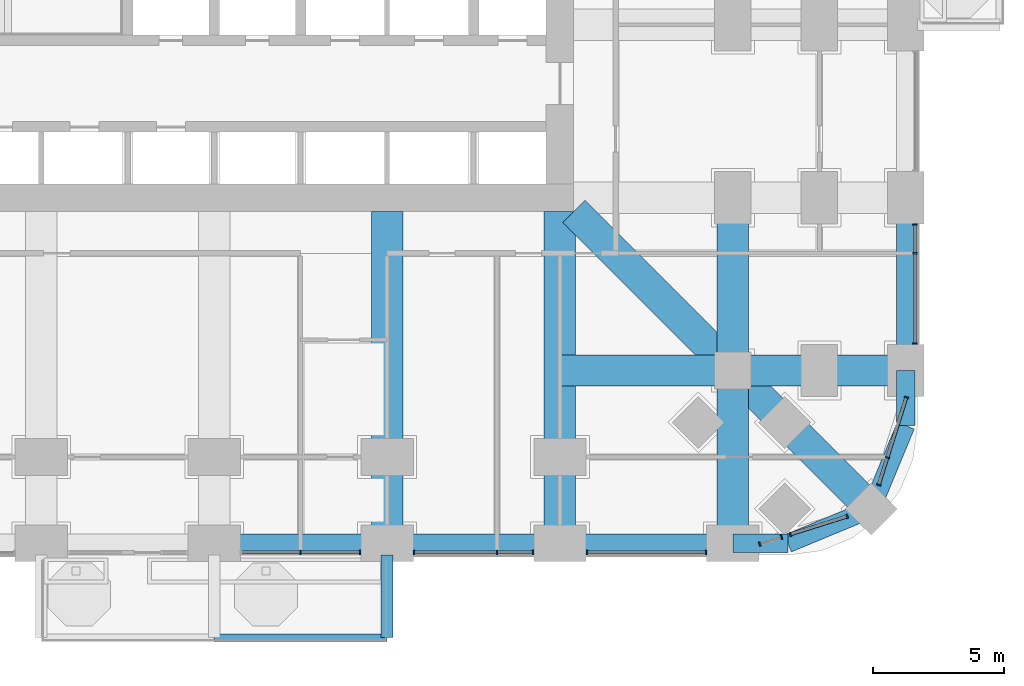
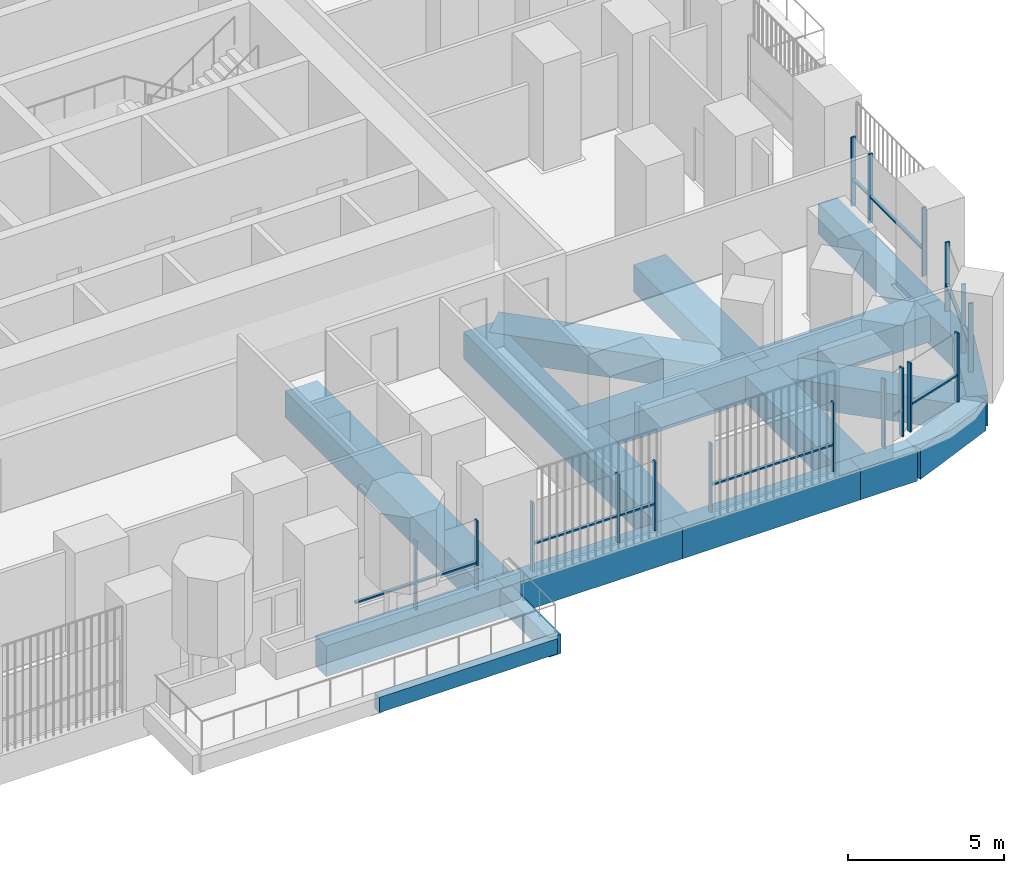
# One storey, part 4 of 24: 27 members, 18 beams, 7 elements without a shape of their own.
"""IFC4 building model written with IfcOpenShell, lengths in metres."""

import ifcopenshell
import ifcopenshell.guid

model = None  # the IFC model being written
_history = None  # IfcOwnerHistory: only IFC2X3 demands one
_inside = {}  # id of a spatial element -> (the spatial element, [elements in it])
_under = {}  # id of a project, library or spatial element -> (it, [spatial elements below it])
_declared = {}  # id of a project -> (the project, [libraries it declares])
_typed = {}  # id of a type object -> (the type object, [elements of that type])
_made_of = {}  # id of a material, layer set ... -> (it, [elements and type objects made of it])


def new_model(schema):
    """Start an empty IFC model of exactly this schema.

    Asked for "IFC4X3", IfcOpenShell would pick the latest addendum, in which some entities
    have other attributes; the version numbers below select the first issue.
    IFC2X3 requires an IfcOwnerHistory on every rooted entity: one is made here for all.
    """
    global model, _history
    if schema == "IFC4X3":
        model = ifcopenshell.file(schema_version=(4, 3, 0, 0))
    else:
        model = ifcopenshell.file(schema=schema)
    _inside.clear()
    _under.clear()
    _declared.clear()
    _typed.clear()
    _made_of.clear()
    _history = None
    if model.schema == "IFC2X3":
        org = make("IfcOrganization", Name="unknown")
        user = make(
            "IfcPersonAndOrganization",
            ThePerson=make("IfcPerson", FamilyName="unknown"),
            TheOrganization=org,
        )
        app = make(
            "IfcApplication",
            ApplicationDeveloper=org,
            Version="unknown",
            ApplicationFullName="unknown",
            ApplicationIdentifier="unknown",
        )
        _history = make(
            "IfcOwnerHistory",
            OwningUser=user,
            OwningApplication=app,
            ChangeAction="ADDED",
            CreationDate=0,
        )
    return model


def make(cls, **values):
    """One entity of the class cls with the attributes given. An attribute that is None is left unset."""
    return model.create_entity(
        cls, **{name: value for name, value in values.items() if value is not None}
    )


def rooted(cls, **values):
    """An entity with a GlobalId (a new one), such as an element, a storey or a relation."""
    return make(cls, GlobalId=ifcopenshell.guid.new(), OwnerHistory=_history, **values)


def si_unit(unit_type, name, prefix=None):
    """IfcSIUnit, for example si_unit("LENGTHUNIT", "METRE", prefix="MILLI")."""
    return make("IfcSIUnit", UnitType=unit_type, Prefix=prefix, Name=name)


def assignment(units):
    """IfcUnitAssignment: the units of a project."""
    return None if units is None else make("IfcUnitAssignment", Units=units)


def point(xyz):
    """IfcCartesianPoint."""
    return None if xyz is None else make("IfcCartesianPoint", Coordinates=xyz)


def direction(xyz):
    """IfcDirection."""
    return None if xyz is None else make("IfcDirection", DirectionRatios=xyz)


def frame(location, z_axis=None, x_axis=None):
    """IfcAxis2Placement3D, a coordinate frame: its origin and axes. An axis left out is left unset."""
    return make(
        "IfcAxis2Placement3D",
        Location=point(location),
        Axis=direction(z_axis),
        RefDirection=direction(x_axis),
    )


def frame_2d(location, x_axis=None):
    """IfcAxis2Placement2D, a coordinate frame in the plane: its origin and x axis."""
    return make(
        "IfcAxis2Placement2D", Location=point(location), RefDirection=direction(x_axis)
    )


def origin():
    """The frame at (0, 0, 0) with its axes left unset."""
    return frame((0.0, 0.0, 0.0))


def origin_2d():
    """The frame at (0, 0) in the plane with its x axis left unset."""
    return frame_2d((0.0, 0.0))


def place(relative_to, where):
    """IfcLocalPlacement: puts the frame where relative to a parent placement (None: the world)."""
    return make(
        "IfcLocalPlacement", PlacementRelTo=relative_to, RelativePlacement=where
    )


def context(
    kind, dimensions, precision=None, world=None, true_north=None, identifier=None
):
    """IfcGeometricRepresentationContext, for example the 3D "Model" context."""
    return make(
        "IfcGeometricRepresentationContext",
        ContextIdentifier=identifier,
        ContextType=kind,
        CoordinateSpaceDimension=dimensions,
        Precision=precision,
        WorldCoordinateSystem=world,
        TrueNorth=true_north,
    )


def subcontext(parent, identifier, kind, view, scale=None):
    """IfcGeometricRepresentationSubContext, for example "Body" below "Model"."""
    return make(
        "IfcGeometricRepresentationSubContext",
        ContextIdentifier=identifier,
        ContextType=kind,
        ParentContext=parent,
        TargetScale=scale,
        TargetView=view,
    )


def project(units=None, contexts=None):
    """IfcProject with its units and contexts."""
    return rooted(
        "IfcProject",
        Name="project",
        RepresentationContexts=contexts,
        UnitsInContext=assignment(units),
    )


def spatial(cls, under=None, at=None, **own):
    """A site, building, storey or space (cls), placed at a placement, below another one or the project."""
    s = rooted(cls, ObjectPlacement=at, **own)
    if under is not None:
        _under.setdefault(under.id(), (under, []))[1].append(s)
    return s


def profile(cls, at=None, kind="AREA", **sizes):
    """A parametric profile (cls). Its sizes go by their IFC names, for example OverallWidth=200.0."""
    return make(cls, ProfileType=kind, Position=at, **sizes)


def rectangle(**sizes):
    """IfcRectangleProfileDef."""
    return profile("IfcRectangleProfileDef", **sizes)


def extrude(swept, where, along, depth):
    """IfcExtrudedAreaSolid: the profile swept, set in the frame where, extruded along a direction by depth."""
    return make(
        "IfcExtrudedAreaSolid",
        SweptArea=swept,
        Position=where,
        ExtrudedDirection=direction(along),
        Depth=depth,
    )


def shape(context_of_items, identifier, shape_type, items):
    """IfcShapeRepresentation: the items that make up one representation, for example the "Body"."""
    return make(
        "IfcShapeRepresentation",
        ContextOfItems=context_of_items,
        RepresentationIdentifier=identifier,
        RepresentationType=shape_type,
        Items=items,
    )


def material(Name=None, Category=None):
    """IfcMaterial."""
    return make("IfcMaterial", Name=Name, Category=Category)


def material_profile(
    of_material, cross_section, Name=None, Category=None, Priority=None
):
    """IfcMaterialProfile: a cross section and its material."""
    return make(
        "IfcMaterialProfile",
        Name=Name,
        Material=of_material,
        Profile=cross_section,
        Priority=Priority,
        Category=Category,
    )


def profile_set(profiles, Name=None, composite=None):
    """IfcMaterialProfileSet."""
    return make(
        "IfcMaterialProfileSet",
        Name=Name,
        MaterialProfiles=profiles,
        CompositeProfile=composite,
    )


def made_of(thing, what):
    """Note that an element or type object is made of a material, layer set ...; save() writes the relation."""
    if what is not None:
        _made_of.setdefault(what.id(), (what, []))[1].append(thing)
    return thing


def type_object(cls, material=None, **own):
    """A type object (cls), such as IfcWallType, which elements share."""
    return made_of(rooted(cls, **own), material)


def element(
    cls,
    number,
    at=None,
    inside=None,
    cuts=None,
    type_object=None,
    material=None,
    context=None,
    identifier="Body",
    shape_type=None,
    held_by="IfcProductDefinitionShape",
    body=None,
    shapes=None,
    **own,
):
    """One element of the class cls, such as IfcWall. Its Tag is "e" and its number.

    at: its placement. inside: the storey or other place that contains it. cuts: it is an
    opening in that element (IfcRelVoidsElement). A single representation is given by context,
    identifier, shape_type and body (its items); several are given by shapes. held_by: the class
    of the entity that holds the representations. save() writes the other relations.
    """
    e = rooted(cls, Tag="e%d" % number, ObjectPlacement=at, **own)
    if body is not None:
        shapes = [shape(context, identifier, shape_type, body)]
    if shapes is not None:
        e.Representation = make(held_by, Representations=shapes)
    if inside is not None:
        _inside.setdefault(inside.id(), (inside, []))[1].append(e)
    if cuts is not None:
        rooted(
            "IfcRelVoidsElement", RelatingBuildingElement=cuts, RelatedOpeningElement=e
        )
    if type_object is not None:
        _typed.setdefault(type_object.id(), (type_object, []))[1].append(e)
    return made_of(e, material)


def aggregate(whole, parts):
    """IfcRelAggregates: a whole, such as a stair, and the parts it consists of."""
    return rooted("IfcRelAggregates", RelatingObject=whole, RelatedObjects=parts)


def save(model, path):
    """Write the relations noted so far, then the file.

    IfcRelAggregates (storeys below a building ...), IfcRelContainedInSpatialStructure (elements
    in a storey), IfcRelDefinesByType, IfcRelAssociatesMaterial and IfcRelDeclares: one each for
    every whole, place, type object, material and project.
    """
    for whole, parts in _under.values():
        aggregate(whole, parts)
    for where, things in _inside.values():
        rooted(
            "IfcRelContainedInSpatialStructure",
            RelatedElements=things,
            RelatingStructure=where,
        )
    for kind, things in _typed.values():
        rooted("IfcRelDefinesByType", RelatedObjects=things, RelatingType=kind)
    for what, things in _made_of.values():
        rooted("IfcRelAssociatesMaterial", RelatedObjects=things, RelatingMaterial=what)
    for by, libraries in _declared.values():
        rooted("IfcRelDeclares", RelatingContext=by, RelatedDefinitions=libraries)
    model.write(path)


model = new_model("IFC4")

# Units and contexts
model_context = context("Model", 3, precision=1e-05, world=origin(), true_north=direction((0.0, 1.0)))
body_context = subcontext(model_context, "Body", "Model", "MODEL_VIEW")
ifc_project = project(units=[si_unit("LENGTHUNIT", "METRE"), si_unit("AREAUNIT", "SQUARE_METRE"), si_unit("VOLUMEUNIT", "CUBIC_METRE"), si_unit("PLANEANGLEUNIT", "RADIAN"), si_unit("MASSUNIT", "GRAM", prefix="KILO")], contexts=[model_context])

# Site, building, storey
site_placement = place(None, origin())
site = spatial("IfcSite", under=ifc_project, at=site_placement, CompositionType="ELEMENT")
building_placement = place(site_placement, origin())
building = spatial("IfcBuilding", under=site, at=building_placement, Name="Cobogo Forest Laboratory Tower", CompositionType="ELEMENT")
storey_placement = place(building_placement, frame((0.0, 0.0, 17.10009765625)))
storey = spatial("IfcBuildingStorey", under=building, at=storey_placement, Name="L03", CompositionType="ELEMENT", Elevation=17.10009765625)

# Beams
ifc_material_1 = material(Name="Concrete HA-40 (C40/50)", Category="concrete")
ifc_material_profile_1 = material_profile(ifc_material_1, rectangle(XDim=0.449951171875, YDim=0.75, at=origin_2d()), Name="RC 450x750")
ifc_profile_set_1 = profile_set([ifc_material_profile_1], Name="Concrete HA-40 (C40/50)")
beam_type_1 = type_object("IfcBeamType", Name="Balcony cantilever beam 450x750", PredefinedType="BEAM", material=ifc_profile_set_1)
beam_1_placement = place(storey_placement, frame((33.0, -0.449951171875, -0.625), z_axis=(0.0, -1.0, 0.0), x_axis=(1.0, 0.0, 0.0)))
element("IfcBeam", 1, at=beam_1_placement, inside=storey, type_object=beam_type_1, Name="CB1 BAL-S1-C3 L03", PredefinedType="BEAM", context=body_context, shape_type="SweptSolid", body=[
    extrude(rectangle(XDim=0.449951171875, YDim=0.75, at=origin_2d()), origin(), (0.0, 0.0, 1.0), 3.150146484375),
])
ifc_material_profile_2 = material_profile(ifc_material_1, rectangle(XDim=0.300048828125, YDim=0.60009765625, at=origin_2d()), Name="RC 300x600")
ifc_profile_set_2 = profile_set([ifc_material_profile_2], Name="Concrete HA-40 (C40/50)")
beam_type_2 = type_object("IfcBeamType", Name="Balcony edge beam 300x600", PredefinedType="BEAM", material=ifc_profile_set_2)
beam_2_placement = place(storey_placement, frame((26.39990234375, -3.60009765625, -0.550048828125), z_axis=(1.0, 0.0, 0.0), x_axis=(0.0, 1.0, 0.0)))
element("IfcBeam", 2, at=beam_2_placement, inside=storey, type_object=beam_type_2, Name="BB1 BAL-S1-T2 L03", PredefinedType="BEAM", context=body_context, shape_type="SweptSolid", body=[
    extrude(rectangle(XDim=0.300048828125, YDim=0.60009765625, at=origin_2d()), origin(), (0.0, 0.0, 1.0), 6.60009765625),
])
ifc_material_profile_3 = material_profile(ifc_material_1, rectangle(XDim=1.199951171875, YDim=1.050048828125, at=origin_2d()), Name="RC 1200x1050")
ifc_profile_set_3 = profile_set([ifc_material_profile_3], Name="Concrete HA-40 (C40/50)")
beam_type_3 = type_object("IfcBeamType", Name="Laboratory floor wide beam 1200x1050", PredefinedType="BEAM", material=ifc_profile_set_3)
for number, where, z_axis, x_axis, name in (
    (3, (33.0, 12.675048828125, -0.8251953125), (0.0, -1.0, 0.0), (1.0, 0.0, 0.0), "RB1 R-6-S L03"),
    (4, (39.60009765625, 12.675048828125, -0.8251953125), (0.0, -1.0, 0.0), (1.0, 0.0, 0.0), "RB1 R-7-S L03"),
):
    element("IfcBeam", number, at=place(storey_placement, frame(where, z_axis=z_axis, x_axis=x_axis)), inside=storey, type_object=beam_type_3, Name=name, PredefinedType="BEAM", context=body_context, shape_type="SweptSolid", body=[
        extrude(rectangle(XDim=1.199951171875, YDim=1.050048828125, at=origin_2d()), origin(), (0.0, 0.0, 1.0), 12.675048828125),
    ])
beam_3_placement = place(storey_placement, frame((46.199951171875, 0.0, -0.8251953125), z_axis=(0.0, 1.0, 0.0), x_axis=(-1.0, 0.0, 0.0)))
element("IfcBeam", 5, at=beam_3_placement, inside=storey, type_object=beam_type_3, Name="RB1 G-SE-XF L03", PredefinedType="BEAM", context=body_context, shape_type="SweptSolid", body=[
    extrude(rectangle(XDim=1.199951171875, YDim=1.050048828125, at=origin_2d()), origin(), (0.0, 0.0, 1.0), 6.60009765625),
])
beam_4_placement = place(storey_placement, frame((46.199951171875, 6.60009765625, -0.8251953125), z_axis=(0.0, 1.0, 0.0), x_axis=(-1.0, 0.0, 0.0)))
element("IfcBeam", 6, at=beam_4_placement, inside=storey, type_object=beam_type_3, Name="RB1 G-SE-XC L03", PredefinedType="BEAM", context=body_context, shape_type="SweptSolid", body=[
    extrude(rectangle(XDim=1.199951171875, YDim=1.050048828125, at=origin_2d()), origin(), (0.0, 0.0, 1.0), 6.599853515625),
])
beam_5_placement = place(storey_placement, frame((52.800048828125, 6.60009765625, -0.8251953125), z_axis=(-1.0, 0.0, 0.0), x_axis=(0.0, -1.0, 0.0)))
element("IfcBeam", 7, at=beam_5_placement, inside=storey, type_object=beam_type_3, Name="RB1 G-SE-YF L03", PredefinedType="BEAM", context=body_context, shape_type="SweptSolid", body=[
    extrude(rectangle(XDim=1.199951171875, YDim=1.050048828125, at=origin_2d()), origin(), (0.0, 0.0, 1.0), 6.60009765625),
])
beam_6_placement = place(storey_placement, frame((46.199951171875, 6.60009765625, -0.8251953125), z_axis=(-1.0, 0.0, 0.0), x_axis=(0.0, -1.0, 0.0)))
element("IfcBeam", 8, at=beam_6_placement, inside=storey, type_object=beam_type_3, Name="RB1 G-SE-YC L03", PredefinedType="BEAM", context=body_context, shape_type="SweptSolid", body=[
    extrude(rectangle(XDim=1.199951171875, YDim=1.050048828125, at=origin_2d()), origin(), (0.0, 0.0, 1.0), 6.599853515625),
])
beam_7_placement = place(storey_placement, frame((51.48193359375, 1.318115234375, -0.8251953125), z_axis=(-0.707106781187, 0.707106781187, 0.0), x_axis=(-0.707106781187, -0.707106781187, 0.0)))
element("IfcBeam", 9, at=beam_7_placement, inside=storey, type_object=beam_type_3, Name="RB1 G-SE-D1 L03", PredefinedType="BEAM", context=body_context, shape_type="SweptSolid", body=[
    extrude(rectangle(XDim=1.199951171875, YDim=1.050048828125, at=origin_2d()), origin(), (0.0, 0.0, 1.0), 7.469970703125),
])
beam_8_placement = place(storey_placement, frame((46.199951171875, 6.60009765625, -0.8251953125), z_axis=(-0.707106781187, 0.707106781187, 0.0), x_axis=(-0.707106781187, -0.707106781187, 0.0)))
element("IfcBeam", 10, at=beam_8_placement, inside=storey, type_object=beam_type_3, Name="RB1 G-SE-D2 L03", PredefinedType="BEAM", context=body_context, shape_type="SweptSolid", body=[
    extrude(rectangle(XDim=1.199951171875, YDim=1.050048828125, at=origin_2d()), origin(), (0.0, 0.0, 1.0), 8.59130859375),
])

# Curtain wall, members
ifc_material_2 = material(Name="Aluminium curtain wall", Category="aluminium")
curtain_wall_type = type_object("IfcCurtainWallType", Name="CW-1 unitised curtain wall, clear glazing, laboratory floors zones A and B", PredefinedType="USERDEFINED", material=ifc_material_2)
curtain_wall_1_placement = place(storey_placement, origin())
curtain_wall_1 = element("IfcCurtainWall", 11, at=curtain_wall_1_placement, inside=storey, type_object=curtain_wall_type, Name="Curtain wall 04 L03", ObjectType="UNITISED CURTAIN WALL", PredefinedType="USERDEFINED")
ifc_material_3 = material(Name="Aluminium mullion", Category="aluminium")
ifc_material_profile_4 = material_profile(ifc_material_3, rectangle(XDim=0.06005859375, YDim=0.159912109375, at=origin_2d()), Name="AL 60x160")
ifc_profile_set_4 = profile_set([ifc_material_profile_4], Name="Aluminium mullion")
member_type_1 = type_object("IfcMemberType", Name="MU-1 aluminium mullion 60x160", PredefinedType="MULLION", material=ifc_profile_set_4)
member_1_placement = place(storey_placement, frame((29.699951171875, -0.35009765625, 0.0), z_axis=(0.0, 0.0, 1.0), x_axis=(1.0, 0.0, 0.0)))
member_1 = element("IfcMember", 12, at=member_1_placement, type_object=member_type_1, Name="CW-1 mullion 2", PredefinedType="MULLION", context=body_context, shape_type="SweptSolid", body=[
    extrude(rectangle(XDim=0.06005859375, YDim=0.159912109375, at=origin_2d()), origin(), (0.0, 0.0, 1.0), 2.699951171875),
])
member_2_placement = place(storey_placement, frame((31.969970703125, -0.35009765625, 0.0), z_axis=(0.0, 0.0, 1.0), x_axis=(1.0, 0.0, 0.0)))
member_2 = element("IfcMember", 13, at=member_2_placement, type_object=member_type_1, Name="CW-1 mullion 3", PredefinedType="MULLION", context=body_context, shape_type="SweptSolid", body=[
    extrude(rectangle(XDim=0.06005859375, YDim=0.159912109375, at=origin_2d()), origin(), (0.0, 0.0, 1.0), 2.699951171875),
])

curtain_wall_2_placement = place(storey_placement, origin())
curtain_wall_2 = element("IfcCurtainWall", 14, at=curtain_wall_2_placement, inside=storey, type_object=curtain_wall_type, Name="Curtain wall 05 L03", ObjectType="UNITISED CURTAIN WALL", PredefinedType="USERDEFINED")
member_3_placement = place(storey_placement, frame((34.030029296875, -0.35009765625, 0.0), z_axis=(0.0, 0.0, 1.0), x_axis=(1.0, 0.0, 0.0)))
member_3 = element("IfcMember", 15, at=member_3_placement, type_object=member_type_1, Name="CW-1 mullion 1", PredefinedType="MULLION", context=body_context, shape_type="SweptSolid", body=[
    extrude(rectangle(XDim=0.06005859375, YDim=0.159912109375, at=origin_2d()), origin(), (0.0, 0.0, 1.0), 2.699951171875),
])
member_4_placement = place(storey_placement, frame((37.199951171875, -0.35009765625, 0.0), z_axis=(0.0, 0.0, 1.0), x_axis=(1.0, 0.0, 0.0)))
member_4 = element("IfcMember", 16, at=member_4_placement, type_object=member_type_1, Name="CW-1 mullion 2", PredefinedType="MULLION", context=body_context, shape_type="SweptSolid", body=[
    extrude(rectangle(XDim=0.06005859375, YDim=0.159912109375, at=origin_2d()), origin(), (0.0, 0.0, 1.0), 2.699951171875),
])
member_5_placement = place(storey_placement, frame((38.570068359375, -0.35009765625, 0.0), z_axis=(0.0, 0.0, 1.0), x_axis=(1.0, 0.0, 0.0)))
member_5 = element("IfcMember", 17, at=member_5_placement, type_object=member_type_1, Name="CW-1 mullion 3", PredefinedType="MULLION", context=body_context, shape_type="SweptSolid", body=[
    extrude(rectangle(XDim=0.06005859375, YDim=0.159912109375, at=origin_2d()), origin(), (0.0, 0.0, 1.0), 2.699951171875),
])

curtain_wall_3_placement = place(storey_placement, origin())
curtain_wall_3 = element("IfcCurtainWall", 18, at=curtain_wall_3_placement, inside=storey, type_object=curtain_wall_type, Name="Curtain wall 06 L03", ObjectType="UNITISED CURTAIN WALL", PredefinedType="USERDEFINED")
member_6_placement = place(storey_placement, frame((40.6298828125, -0.35009765625, 0.0), z_axis=(0.0, 0.0, 1.0), x_axis=(1.0, 0.0, 0.0)))
member_6 = element("IfcMember", 19, at=member_6_placement, type_object=member_type_1, Name="CW-1 mullion 1", PredefinedType="MULLION", context=body_context, shape_type="SweptSolid", body=[
    extrude(rectangle(XDim=0.06005859375, YDim=0.159912109375, at=origin_2d()), origin(), (0.0, 0.0, 1.0), 2.699951171875),
])
member_7_placement = place(storey_placement, frame((45.169921875, -0.35009765625, 0.0), z_axis=(0.0, 0.0, 1.0), x_axis=(1.0, 0.0, 0.0)))
member_7 = element("IfcMember", 20, at=member_7_placement, type_object=member_type_1, Name="CW-1 mullion 2", PredefinedType="MULLION", context=body_context, shape_type="SweptSolid", body=[
    extrude(rectangle(XDim=0.06005859375, YDim=0.159912109375, at=origin_2d()), origin(), (0.0, 0.0, 1.0), 2.699951171875),
])

curtain_wall_4_placement = place(storey_placement, origin())
curtain_wall_4 = element("IfcCurtainWall", 21, at=curtain_wall_4_placement, inside=storey, type_object=curtain_wall_type, Name="Curtain wall 07 L03", ObjectType="UNITISED CURTAIN WALL", PredefinedType="USERDEFINED")
member_8_placement = place(storey_placement, frame((47.228515625, -0.025146484375, 0.0), z_axis=(0.0, 0.0, 1.0), x_axis=(0.953581406818, 0.301135352577, 0.0)))
member_8 = element("IfcMember", 22, at=member_8_placement, type_object=member_type_1, Name="CW-1 mullion 1", PredefinedType="MULLION", context=body_context, shape_type="SweptSolid", body=[
    extrude(rectangle(XDim=0.06005859375, YDim=0.159912109375, at=origin_2d()), origin(), (0.0, 0.0, 1.0), 2.699951171875),
])
member_9_placement = place(storey_placement, frame((48.05322265625, 0.2353515625, 0.0), z_axis=(0.0, 0.0, 1.0), x_axis=(0.953581406818, 0.301135352577, 0.0)))
member_9 = element("IfcMember", 23, at=member_9_placement, type_object=member_type_1, Name="CW-1 mullion 2", PredefinedType="MULLION", context=body_context, shape_type="SweptSolid", body=[
    extrude(rectangle(XDim=0.06005859375, YDim=0.159912109375, at=origin_2d()), origin(), (0.0, 0.0, 1.0), 2.699951171875),
])
aggregate(curtain_wall_4, [member_8, member_9])

curtain_wall_5_placement = place(storey_placement, origin())
curtain_wall_5 = element("IfcCurtainWall", 24, at=curtain_wall_5_placement, inside=storey, type_object=curtain_wall_type, Name="Curtain wall 08 L03", ObjectType="UNITISED CURTAIN WALL", PredefinedType="USERDEFINED")
member_10_placement = place(storey_placement, frame((48.403076171875, 0.345703125, 0.0), z_axis=(0.0, 0.0, 1.0), x_axis=(0.953581409645, 0.301135343623, 0.0)))
member_10 = element("IfcMember", 25, at=member_10_placement, type_object=member_type_1, Name="CW-1 mullion 1", PredefinedType="MULLION", context=body_context, shape_type="SweptSolid", body=[
    extrude(rectangle(XDim=0.06005859375, YDim=0.159912109375, at=origin_2d()), origin(), (0.0, 0.0, 1.0), 2.699951171875),
])
member_11_placement = place(storey_placement, frame((50.561279296875, 1.02734375, 0.0), z_axis=(0.0, 0.0, 1.0), x_axis=(0.953581409645, 0.301135343623, 0.0)))
member_11 = element("IfcMember", 26, at=member_11_placement, type_object=member_type_1, Name="CW-1 mullion 2", PredefinedType="MULLION", context=body_context, shape_type="SweptSolid", body=[
    extrude(rectangle(XDim=0.06005859375, YDim=0.159912109375, at=origin_2d()), origin(), (0.0, 0.0, 1.0), 2.699951171875),
])

curtain_wall_6_placement = place(storey_placement, origin())
curtain_wall_6 = element("IfcCurtainWall", 27, at=curtain_wall_6_placement, inside=storey, type_object=curtain_wall_type, Name="Curtain wall 09 L03", ObjectType="UNITISED CURTAIN WALL", PredefinedType="USERDEFINED")
member_12_placement = place(storey_placement, frame((51.772705078125, 2.23876953125, 0.0), z_axis=(0.0, 0.0, 1.0), x_axis=(0.301135433696, 0.953581381201, 0.0)))
member_12 = element("IfcMember", 28, at=member_12_placement, type_object=member_type_1, Name="CW-1 mullion 1", PredefinedType="MULLION", context=body_context, shape_type="SweptSolid", body=[
    extrude(rectangle(XDim=0.06005859375, YDim=0.159912109375, at=origin_2d()), origin(), (0.0, 0.0, 1.0), 2.699951171875),
])
member_13_placement = place(storey_placement, frame((52.100341796875, 3.27587890625, 0.0), z_axis=(0.0, 0.0, 1.0), x_axis=(0.301135433696, 0.953581381201, 0.0)))
member_13 = element("IfcMember", 29, at=member_13_placement, type_object=member_type_1, Name="CW-1 mullion 2", PredefinedType="MULLION", context=body_context, shape_type="SweptSolid", body=[
    extrude(rectangle(XDim=0.06005859375, YDim=0.159912109375, at=origin_2d()), origin(), (0.0, 0.0, 1.0), 2.699951171875),
])
member_14_placement = place(storey_placement, frame((52.8251953125, 5.5712890625, 0.0), z_axis=(0.0, 0.0, 1.0), x_axis=(0.301135433696, 0.953581381201, 0.0)))
member_14 = element("IfcMember", 30, at=member_14_placement, type_object=member_type_1, Name="CW-1 mullion 3", PredefinedType="MULLION", context=body_context, shape_type="SweptSolid", body=[
    extrude(rectangle(XDim=0.06005859375, YDim=0.159912109375, at=origin_2d()), origin(), (0.0, 0.0, 1.0), 2.699951171875),
])

curtain_wall_7_placement = place(storey_placement, origin())
curtain_wall_7 = element("IfcCurtainWall", 31, at=curtain_wall_7_placement, inside=storey, type_object=curtain_wall_type, Name="Curtain wall 10 L03", ObjectType="UNITISED CURTAIN WALL", PredefinedType="USERDEFINED")
member_15_placement = place(storey_placement, frame((53.14990234375, 7.6298828125, 0.0), z_axis=(0.0, 0.0, 1.0), x_axis=(0.0, 1.0, 0.0)))
member_15 = element("IfcMember", 32, at=member_15_placement, type_object=member_type_1, Name="CW-1 mullion 1", PredefinedType="MULLION", context=body_context, shape_type="SweptSolid", body=[
    extrude(rectangle(XDim=0.06005859375, YDim=0.159912109375, at=origin_2d()), origin(), (0.0, 0.0, 1.0), 2.699951171875),
])
member_16_placement = place(storey_placement, frame((53.14990234375, 11.074951171875, 0.0), z_axis=(0.0, 0.0, 1.0), x_axis=(0.0, 1.0, 0.0)))
member_16 = element("IfcMember", 33, at=member_16_placement, type_object=member_type_1, Name="CW-1 mullion 2", PredefinedType="MULLION", context=body_context, shape_type="SweptSolid", body=[
    extrude(rectangle(XDim=0.06005859375, YDim=0.159912109375, at=origin_2d()), origin(), (0.0, 0.0, 1.0), 2.699951171875),
])
member_17_placement = place(storey_placement, frame((53.14990234375, 12.169921875, 0.0), z_axis=(0.0, 0.0, 1.0), x_axis=(0.0, 1.0, 0.0)))
member_17 = element("IfcMember", 34, at=member_17_placement, type_object=member_type_1, Name="CW-1 mullion 3", PredefinedType="MULLION", context=body_context, shape_type="SweptSolid", body=[
    extrude(rectangle(XDim=0.06005859375, YDim=0.159912109375, at=origin_2d()), origin(), (0.0, 0.0, 1.0), 2.699951171875),
])

# Beams
ifc_material_profile_5 = material_profile(ifc_material_1, rectangle(XDim=0.699951171875, YDim=1.199951171875, at=origin_2d()), Name="RC 700x1200")
ifc_profile_set_5 = profile_set([ifc_material_profile_5], Name="Concrete HA-40 (C40/50)")
beam_type_4 = type_object("IfcBeamType", Name="Perimeter edge beam 700x1200", PredefinedType="BEAM", material=ifc_profile_set_5)
for number, where, z_axis, x_axis, name in (
    (35, (26.39990234375, 0.0, -0.900146484375), (1.0, 0.0, 0.0), (0.0, 1.0, 0.0), "EB1 E-S4 L03"),
    (36, (33.0, 0.0, -0.900146484375), (1.0, 0.0, 0.0), (0.0, 1.0, 0.0), "EB1 E-S5 L03"),
):
    element("IfcBeam", number, at=place(storey_placement, frame(where, z_axis=z_axis, x_axis=x_axis)), inside=storey, type_object=beam_type_4, Name=name, PredefinedType="BEAM", context=body_context, shape_type="SweptSolid", body=[
        extrude(rectangle(XDim=0.699951171875, YDim=1.199951171875, at=origin_2d()), origin(), (0.0, 0.0, 1.0), 6.60009765625),
    ])
for number, where, z_axis, x_axis, name in (
    (37, (39.60009765625, 0.0, -0.900146484375), (1.0, 0.0, 0.0), (0.0, 1.0, 0.0), "EB1 E-S6 L03"),
    (38, (52.800048828125, 6.60009765625, -0.900146484375), (0.0, 1.0, 0.0), (-1.0, 0.0, 0.0), "EB1 E-E1 L03"),
):
    element("IfcBeam", number, at=place(storey_placement, frame(where, z_axis=z_axis, x_axis=x_axis)), inside=storey, type_object=beam_type_4, Name=name, PredefinedType="BEAM", context=body_context, shape_type="SweptSolid", body=[
        extrude(rectangle(XDim=0.699951171875, YDim=1.199951171875, at=origin_2d()), origin(), (0.0, 0.0, 1.0), 6.599853515625),
    ])
beam_9_placement = place(storey_placement, frame((46.199951171875, 0.0, -0.900146484375), z_axis=(1.0, 0.0, 0.0), x_axis=(0.0, 1.0, 0.0)))
element("IfcBeam", 39, at=beam_9_placement, inside=storey, type_object=beam_type_4, Name="EB1 E-SES1 L03", PredefinedType="BEAM", context=body_context, shape_type="SweptSolid", body=[
    extrude(rectangle(XDim=0.699951171875, YDim=1.199951171875, at=origin_2d()), origin(), (0.0, 0.0, 1.0), 2.10009765625),
])
beam_10_placement = place(storey_placement, frame((48.300048828125, 0.0, -0.900146484375), z_axis=(0.923865631356, 0.382716990999, 0.0), x_axis=(-0.382716990999, 0.923865631356, 0.0)))
element("IfcBeam", 40, at=beam_10_placement, inside=storey, type_object=beam_type_4, Name="EB1 E-SES2 L03", PredefinedType="BEAM", context=body_context, shape_type="SweptSolid", body=[
    extrude(rectangle(XDim=0.699951171875, YDim=1.199951171875, at=origin_2d()), origin(), (0.0, 0.0, 1.0), 3.444091796875),
])
beam_11_placement = place(storey_placement, frame((52.800048828125, 6.60009765625, -0.900146484375), z_axis=(0.0, -1.0, 0.0), x_axis=(1.0, 0.0, 0.0)))
element("IfcBeam", 41, at=beam_11_placement, inside=storey, type_object=beam_type_4, Name="EB1 E-SEE1 L03", PredefinedType="BEAM", context=body_context, shape_type="SweptSolid", body=[
    extrude(rectangle(XDim=0.699951171875, YDim=1.199951171875, at=origin_2d()), origin(), (0.0, 0.0, 1.0), 2.10009765625),
])
beam_12_placement = place(storey_placement, frame((52.800048828125, 4.5, -0.900146484375), z_axis=(-0.382716990999, -0.923865631356, 0.0), x_axis=(0.923865631356, -0.382716990999, 0.0)))
element("IfcBeam", 42, at=beam_12_placement, inside=storey, type_object=beam_type_4, Name="EB1 E-SEE2 L03", PredefinedType="BEAM", context=body_context, shape_type="SweptSolid", body=[
    extrude(rectangle(XDim=0.699951171875, YDim=1.199951171875, at=origin_2d()), origin(), (0.0, 0.0, 1.0), 3.444091796875),
])

# Member
ifc_material_4 = material(Name="Aluminium transom", Category="aluminium")
ifc_material_profile_6 = material_profile(ifc_material_4, rectangle(XDim=0.1201171875, YDim=0.06005859375, at=origin_2d()), Name="AL 60x120")
ifc_profile_set_6 = profile_set([ifc_material_profile_6], Name="Aluminium transom")
member_type_2 = type_object("IfcMemberType", Name="TR-1 aluminium transom 60x120", PredefinedType="USERDEFINED", material=ifc_profile_set_6)
member_18_placement = place(storey_placement, frame((27.4599609375, -0.35009765625, 1.0498046875), z_axis=(1.0, 0.0, 0.0), x_axis=(0.0, 1.0, 0.0)))
member_18 = element("IfcMember", 43, at=member_18_placement, type_object=member_type_2, Name="CW-1 transom 1.1", ObjectType="TRANSOM", PredefinedType="USERDEFINED", context=body_context, shape_type="SweptSolid", body=[
    extrude(rectangle(XDim=0.1201171875, YDim=0.06005859375, at=origin_2d()), origin(), (0.0, 0.0, 1.0), 2.2099609375),
])

member_19_placement = place(storey_placement, frame((29.72998046875, -0.35009765625, 1.0498046875), z_axis=(1.0, 0.0, 0.0), x_axis=(0.0, 1.0, 0.0)))
member_19 = element("IfcMember", 44, at=member_19_placement, type_object=member_type_2, Name="CW-1 transom 2.1", ObjectType="TRANSOM", PredefinedType="USERDEFINED", context=body_context, shape_type="SweptSolid", body=[
    extrude(rectangle(XDim=0.1201171875, YDim=0.06005859375, at=origin_2d()), origin(), (0.0, 0.0, 1.0), 2.2099609375),
])

aggregate(curtain_wall_1, [member_1, member_2, member_18, member_19])

member_20_placement = place(storey_placement, frame((34.06005859375, -0.35009765625, 1.0498046875), z_axis=(1.0, 0.0, 0.0), x_axis=(0.0, 1.0, 0.0)))
member_20 = element("IfcMember", 45, at=member_20_placement, type_object=member_type_2, Name="CW-1 transom 1.1", ObjectType="TRANSOM", PredefinedType="USERDEFINED", context=body_context, shape_type="SweptSolid", body=[
    extrude(rectangle(XDim=0.1201171875, YDim=0.06005859375, at=origin_2d()), origin(), (0.0, 0.0, 1.0), 3.10986328125),
])

member_21_placement = place(storey_placement, frame((37.22998046875, -0.35009765625, 1.0498046875), z_axis=(1.0, 0.0, 0.0), x_axis=(0.0, 1.0, 0.0)))
member_21 = element("IfcMember", 46, at=member_21_placement, type_object=member_type_2, Name="CW-1 transom 2.1", ObjectType="TRANSOM", PredefinedType="USERDEFINED", context=body_context, shape_type="SweptSolid", body=[
    extrude(rectangle(XDim=0.1201171875, YDim=0.06005859375, at=origin_2d()), origin(), (0.0, 0.0, 1.0), 1.31005859375),
])

aggregate(curtain_wall_2, [member_3, member_4, member_5, member_20, member_21])

member_22_placement = place(storey_placement, frame((40.659912109375, -0.35009765625, 1.0498046875), z_axis=(1.0, 0.0, 0.0), x_axis=(0.0, 1.0, 0.0)))
member_22 = element("IfcMember", 47, at=member_22_placement, type_object=member_type_2, Name="CW-1 transom 1.1", ObjectType="TRANSOM", PredefinedType="USERDEFINED", context=body_context, shape_type="SweptSolid", body=[
    extrude(rectangle(XDim=0.1201171875, YDim=0.06005859375, at=origin_2d()), origin(), (0.0, 0.0, 1.0), 4.47998046875),
])

aggregate(curtain_wall_3, [member_6, member_7, member_22])

member_23_placement = place(storey_placement, frame((48.431640625, 0.354736328125, 1.0498046875), z_axis=(0.953572616955, 0.301163185322, 0.0), x_axis=(-0.301163185322, 0.953572616955, 0.0)))
member_23 = element("IfcMember", 48, at=member_23_placement, type_object=member_type_2, Name="CW-1 transom 1.1", ObjectType="TRANSOM", PredefinedType="USERDEFINED", context=body_context, shape_type="SweptSolid", body=[
    extrude(rectangle(XDim=0.1201171875, YDim=0.06005859375, at=origin_2d()), origin(), (0.0, 0.0, 1.0), 2.203369140625),
])

aggregate(curtain_wall_5, [member_10, member_11, member_23])

member_24_placement = place(storey_placement, frame((51.78173828125, 2.267333984375, 1.0498046875), z_axis=(0.301222320394, 0.953553938535, 0.0), x_axis=(-0.953553938535, 0.301222320394, 0.0)))
member_24 = element("IfcMember", 49, at=member_24_placement, type_object=member_type_2, Name="CW-1 transom 1.1", ObjectType="TRANSOM", PredefinedType="USERDEFINED", context=body_context, shape_type="SweptSolid", body=[
    extrude(rectangle(XDim=0.1201171875, YDim=0.06005859375, at=origin_2d()), origin(), (0.0, 0.0, 1.0), 1.02783203125),
])

member_25_placement = place(storey_placement, frame((52.109375, 3.304443359375, 1.0498046875), z_axis=(0.301116434103, 0.953587380953, 0.0), x_axis=(-0.953587380953, 0.301116434103, 0.0)))
member_25 = element("IfcMember", 50, at=member_25_placement, type_object=member_type_2, Name="CW-1 transom 2.1", ObjectType="TRANSOM", PredefinedType="USERDEFINED", context=body_context, shape_type="SweptSolid", body=[
    extrude(rectangle(XDim=0.1201171875, YDim=0.06005859375, at=origin_2d()), origin(), (0.0, 0.0, 1.0), 2.34716796875),
])

aggregate(curtain_wall_6, [member_12, member_13, member_14, member_24, member_25])

member_26_placement = place(storey_placement, frame((53.14990234375, 7.659912109375, 1.0498046875), z_axis=(0.0, 1.0, 0.0), x_axis=(-1.0, 0.0, 0.0)))
member_26 = element("IfcMember", 51, at=member_26_placement, type_object=member_type_2, Name="CW-1 transom 1.1", ObjectType="TRANSOM", PredefinedType="USERDEFINED", context=body_context, shape_type="SweptSolid", body=[
    extrude(rectangle(XDim=0.1201171875, YDim=0.06005859375, at=origin_2d()), origin(), (0.0, 0.0, 1.0), 3.385009765625),
])

member_27_placement = place(storey_placement, frame((53.14990234375, 11.10498046875, 1.0498046875), z_axis=(0.0, 1.0, 0.0), x_axis=(-1.0, 0.0, 0.0)))
member_27 = element("IfcMember", 52, at=member_27_placement, type_object=member_type_2, Name="CW-1 transom 2.1", ObjectType="TRANSOM", PredefinedType="USERDEFINED", context=body_context, shape_type="SweptSolid", body=[
    extrude(rectangle(XDim=0.1201171875, YDim=0.06005859375, at=origin_2d()), origin(), (0.0, 0.0, 1.0), 1.034912109375),
])

aggregate(curtain_wall_7, [member_15, member_16, member_17, member_26, member_27])

save(model, "model.ifc")
